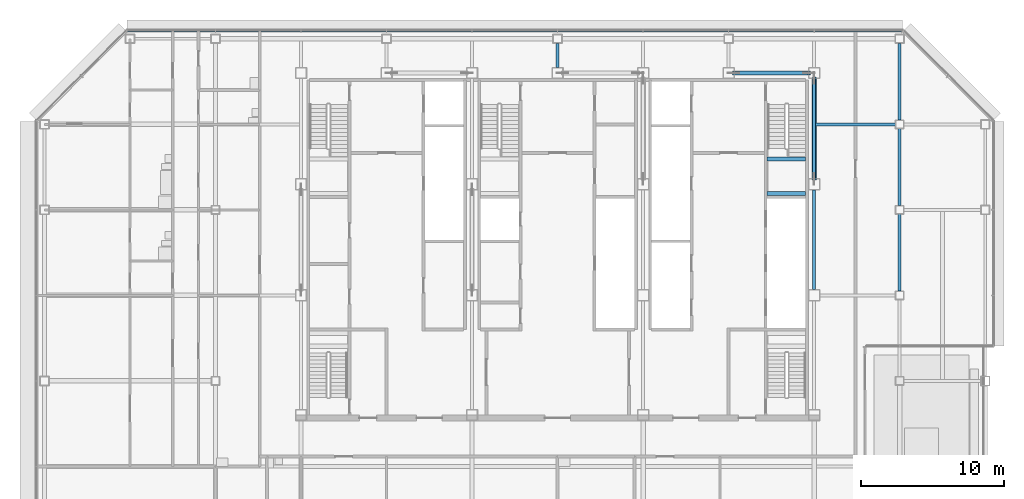
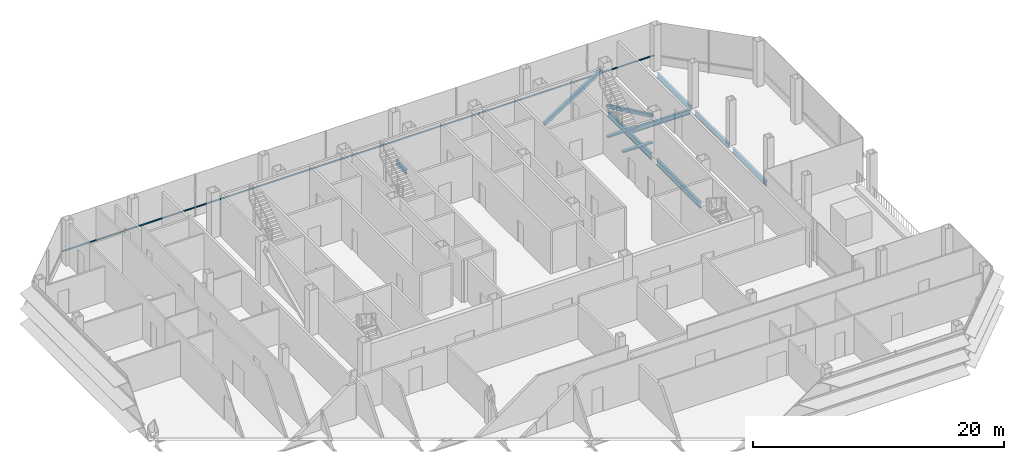
# One storey, part 15 of 30: 9 beams, 3 members, 1 element without a shape of its own.
"""IFC4 building model written with IfcOpenShell, lengths in metres."""

from ifc_helpers import new_model, si_unit, direction, frame, origin, origin_2d, place, context, subcontext, project, spatial, rectangle, hollow_rectangle, i_section, extrude, material, material_profile, profile_set, type_object, element, aggregate, save


model = new_model("IFC4")

# Units and contexts
model_context = context("Model", 3, precision=1e-05, world=origin(), true_north=direction((0.0, 1.0)))
body_context = subcontext(model_context, "Body", "Model", "MODEL_VIEW")
ifc_project = project(units=[si_unit("LENGTHUNIT", "METRE"), si_unit("AREAUNIT", "SQUARE_METRE"), si_unit("VOLUMEUNIT", "CUBIC_METRE"), si_unit("PLANEANGLEUNIT", "RADIAN"), si_unit("MASSUNIT", "GRAM", prefix="KILO")], contexts=[model_context])

# Site, building, storey
site_placement = place(None, origin())
site = spatial("IfcSite", under=ifc_project, at=site_placement, CompositionType="ELEMENT")
building_placement = place(site_placement, origin())
building = spatial("IfcBuilding", under=site, at=building_placement, Name="Sorahane Residences", CompositionType="ELEMENT")
storey_placement = place(building_placement, frame((0.0, 0.0, 229.800048828125)))
storey = spatial("IfcBuildingStorey", under=building, at=storey_placement, Name="L54", CompositionType="ELEMENT", Elevation=229.800048828125)

# Members
ifc_material_1 = material(Name="Steel Q355B", Category="steel")
ifc_material_profile_1 = material_profile(ifc_material_1, hollow_rectangle(XDim=0.300048828125, YDim=0.300048828125, WallThickness=0.01611328125, InnerFilletRadius=0.008056640625, OuterFilletRadius=0.02392578125, at=origin_2d()), Name="RHS 300x300x16")
ifc_profile_set_1 = profile_set([ifc_material_profile_1], Name="Steel Q355B")
member_type_1 = type_object("IfcMemberType", Name="Core brace RHS 300x300x16 Q355B", PredefinedType="BRACE", material=ifc_profile_set_1)
member_1_placement = place(storey_placement, frame((36.351318359375, 45.60009765625, 0.11865234375), z_axis=(0.840661975087, 0.0, 0.541560193924), x_axis=(0.0, 1.0, 0.0)))
element("IfcMember", 1, at=member_1_placement, inside=storey, type_object=member_type_1, Name="Core brace L54 y45.6-6", PredefinedType="BRACE", context=body_context, shape_type="SweptSolid", body=[
    extrude(hollow_rectangle(XDim=0.300048828125, YDim=0.300048828125, WallThickness=0.01611328125, InnerFilletRadius=0.008056640625, OuterFilletRadius=0.02392578125, at=origin_2d()), origin(), (0.0, 0.0, 1.0), 6.301513671875),
])
member_2_placement = place(storey_placement, frame((42.0, 45.23876953125, 0.13134765625), z_axis=(0.0, -0.902022560554, 0.431688892898), x_axis=(1.0, 0.0, 0.0)))
element("IfcMember", 2, at=member_2_placement, inside=storey, type_object=member_type_1, Name="Core brace L54 x42-3", PredefinedType="BRACE", context=body_context, shape_type="SweptSolid", body=[
    extrude(hollow_rectangle(XDim=0.300048828125, YDim=0.300048828125, WallThickness=0.01611328125, InnerFilletRadius=0.008056640625, OuterFilletRadius=0.02392578125, at=origin_2d()), origin(), (0.0, 0.0, 1.0), 7.846435546875),
])

# Curtain wall, member
ifc_material_2 = material(Name="Dark low-e glass and black anodised aluminium", Category="aluminium")
curtain_wall_type = type_object("IfcCurtainWallType", Name="Curtain wall CW-1 Typical unitised wall", PredefinedType="NOTDEFINED", material=ifc_material_2)
curtain_wall_placement = place(storey_placement, origin())
curtain_wall = element("IfcCurtainWall", 3, at=curtain_wall_placement, inside=storey, type_object=curtain_wall_type, Name="CW-1 curtain wall L54 N2", PredefinedType="NOTDEFINED")
ifc_material_3 = material(Name="Black anodised aluminium", Category="aluminium")
ifc_material_profile_2 = material_profile(ifc_material_3, rectangle(XDim=0.10009765625, YDim=0.06005859375, at=origin_2d()), Name="Curtain wall transom CW-1 black anodised aluminium 60x100")
ifc_profile_set_2 = profile_set([ifc_material_profile_2], Name="Black anodised aluminium")
member_type_2 = type_object("IfcMemberType", Name="Curtain wall transom CW-1 black anodised aluminium 60x100", PredefinedType="USERDEFINED", material=ifc_profile_set_2)
member_3_placement = place(storey_placement, frame((48.198486328125, 48.530029296875, 0.89990234375), z_axis=(-1.0, 0.0, 0.0), x_axis=(0.0, -1.0, 0.0)))
member_3 = element("IfcMember", 4, at=member_3_placement, type_object=member_type_2, Name="CW-1 transom L54 N2", ObjectType="TRANSOM", PredefinedType="USERDEFINED", context=body_context, shape_type="SweptSolid", body=[
    extrude(rectangle(XDim=0.10009765625, YDim=0.06005859375, at=origin_2d()), origin(), (0.0, 0.0, 1.0), 54.39697265625),
])
aggregate(curtain_wall, [member_3])

# Beams
ifc_material_4 = material(Name="Concrete C40", Category="concrete")
ifc_material_profile_3 = material_profile(ifc_material_4, rectangle(XDim=0.300048828125, YDim=0.139892578125, at=origin_2d()), Name="300x140")
ifc_profile_set_3 = profile_set([ifc_material_profile_3], Name="Concrete C40")
beam_type_1 = type_object("IfcBeamType", Name="RC landing beam 300 x 140 Concrete C40", PredefinedType="BEAM", material=ifc_profile_set_3)
for number, where, z_axis, x_axis, name in (
    (5, (38.699951171875, 37.14990234375, 1.7607421875), (1.0, 0.0, 0.0), (0.0, 1.0, 0.0), "Landing beam"),
    (6, (38.699951171875, 39.570068359375, 1.7607421875), (1.0, 0.0, 0.0), (0.0, 1.0, 0.0), "Landing beam"),
):
    element("IfcBeam", number, at=place(storey_placement, frame(where, z_axis=z_axis, x_axis=x_axis)), inside=storey, type_object=beam_type_1, Name=name, PredefinedType="BEAM", context=body_context, shape_type="SweptSolid", body=[
        extrude(rectangle(XDim=0.300048828125, YDim=0.139892578125, at=origin_2d()), origin(), (0.0, 0.0, 1.0), 2.699951171875),
    ])
ifc_material_5 = material(Name="Steel Q355B", Category="steel")
ifc_material_profile_4 = material_profile(ifc_material_5, i_section(OverallWidth=0.199951171875, OverallDepth=0.449951171875, WebThickness=0.009033203125, FlangeThickness=0.013916015625, FilletRadius=0.02001953125, at=origin_2d()), Name="HN 450x200x9x14")
ifc_profile_set_4 = profile_set([ifc_material_profile_4], Name="Steel Q355B")
beam_type_2 = type_object("IfcBeamType", Name="Steel floor beam HN 450x200x9x14 Q355B", PredefinedType="BEAM", material=ifc_profile_set_4)
beam_1_placement = place(storey_placement, frame((24.0, 46.0, -0.405029296875), z_axis=(0.0, 1.0, 0.0), x_axis=(-1.0, 0.0, 0.0)))
element("IfcBeam", 7, at=beam_1_placement, inside=storey, type_object=beam_type_2, Name="Beam L54 043", PredefinedType="BEAM", context=body_context, shape_type="SweptSolid", body=[
    extrude(i_section(OverallWidth=0.199951171875, OverallDepth=0.449951171875, WebThickness=0.009033203125, FlangeThickness=0.013916015625, FilletRadius=0.02001953125, at=origin_2d()), origin(), (0.0, 0.0, 1.0), 1.675048828125),
])
for number, where, z_axis, x_axis, name in (
    (8, (48.0, 30.300048828125, -0.405029296875), (0.0, 1.0, 0.0), (-1.0, 0.0, 0.0), "Beam L54 061"),
    (9, (48.0, 36.300048828125, -0.405029296875), (0.0, 1.0, 0.0), (-1.0, 0.0, 0.0), "Beam L54 062"),
):
    element("IfcBeam", number, at=place(storey_placement, frame(where, z_axis=z_axis, x_axis=x_axis)), inside=storey, type_object=beam_type_2, Name=name, PredefinedType="BEAM", context=body_context, shape_type="SweptSolid", body=[
        extrude(i_section(OverallWidth=0.199951171875, OverallDepth=0.449951171875, WebThickness=0.009033203125, FlangeThickness=0.013916015625, FilletRadius=0.02001953125, at=origin_2d()), origin(), (0.0, 0.0, 1.0), 5.39990234375),
    ])
beam_2_placement = place(storey_placement, frame((48.0, 42.300048828125, -0.405029296875), z_axis=(0.0, 1.0, 0.0), x_axis=(-1.0, 0.0, 0.0)))
element("IfcBeam", 10, at=beam_2_placement, inside=storey, type_object=beam_type_2, Name="Beam L54 063", PredefinedType="BEAM", context=body_context, shape_type="SweptSolid", body=[
    extrude(i_section(OverallWidth=0.199951171875, OverallDepth=0.449951171875, WebThickness=0.009033203125, FlangeThickness=0.013916015625, FilletRadius=0.02001953125, at=origin_2d()), origin(), (0.0, 0.0, 1.0), 5.375),
])
beam_3_placement = place(storey_placement, frame((42.10009765625, 42.0, -0.405029296875), z_axis=(1.0, 0.0, 0.0), x_axis=(0.0, 1.0, 0.0)))
element("IfcBeam", 11, at=beam_3_placement, inside=storey, type_object=beam_type_2, Name="Beam L54 089", PredefinedType="BEAM", context=body_context, shape_type="SweptSolid", body=[
    extrude(i_section(OverallWidth=0.199951171875, OverallDepth=0.449951171875, WebThickness=0.009033203125, FlangeThickness=0.013916015625, FilletRadius=0.02001953125, at=origin_2d()), origin(), (0.0, 0.0, 1.0), 5.599853515625),
])
ifc_material_6 = material(Name="Steel Q355B", Category="steel")
ifc_material_profile_5 = material_profile(ifc_material_6, i_section(OverallWidth=0.199951171875, OverallDepth=0.60009765625, WebThickness=0.010986328125, FlangeThickness=0.01708984375, FilletRadius=0.02392578125, at=origin_2d()), Name="HN 600x200x11x17")
ifc_profile_set_5 = profile_set([ifc_material_profile_5], Name="Steel Q355B")
beam_type_3 = type_object("IfcBeamType", Name="Steel floor beam HN 600x200x11x17 Q355B", PredefinedType="BEAM", material=ifc_profile_set_5)
for number, where, z_axis, x_axis, name in (
    (12, (42.0, 30.39990234375, -0.47998046875), (0.0, 1.0, 0.0), (-1.0, 0.0, 0.0), "Beam L54 055"),
    (13, (42.0, 38.199951171875, -0.47998046875), (0.0, 1.0, 0.0), (-1.0, 0.0, 0.0), "Beam L54 056"),
):
    element("IfcBeam", number, at=place(storey_placement, frame(where, z_axis=z_axis, x_axis=x_axis)), inside=storey, type_object=beam_type_3, Name=name, PredefinedType="BEAM", context=body_context, shape_type="SweptSolid", body=[
        extrude(i_section(OverallWidth=0.199951171875, OverallDepth=0.60009765625, WebThickness=0.010986328125, FlangeThickness=0.01708984375, FilletRadius=0.02392578125, at=origin_2d()), origin(), (0.0, 0.0, 1.0), 7.0),
    ])

save(model, "model.ifc")
